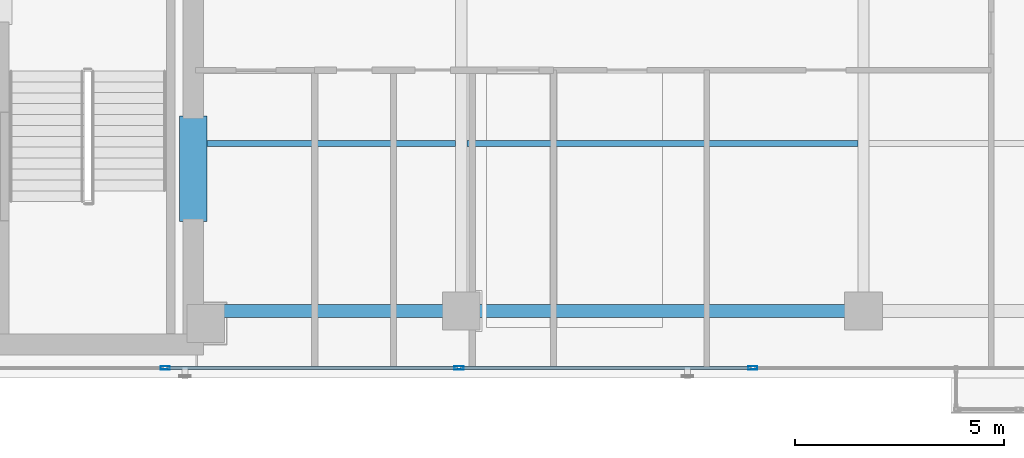
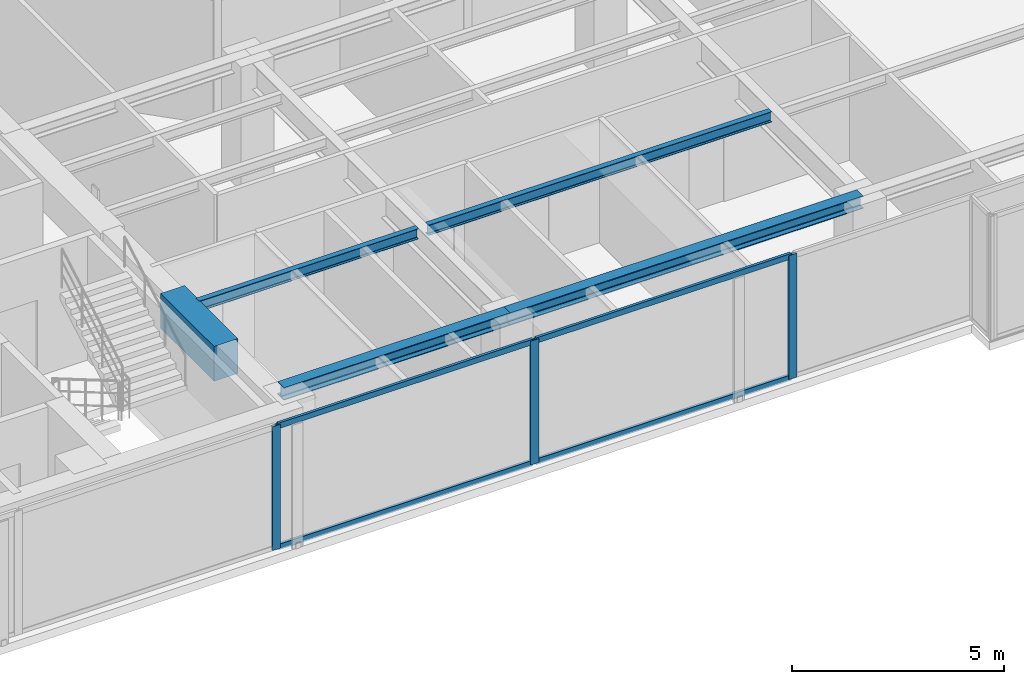
# One storey, part 4 of 22: 7 members, 5 beams, 1 element without a shape of its own.
"""IFC4 building model written with IfcOpenShell, lengths in metres."""

from ifc_helpers import new_model, si_unit, direction, frame, origin, origin_with_axes, origin_2d, place, context, subcontext, project, spatial, rectangle, hollow_rectangle, i_section, extrude, source, transform, mapped, material, layer, layer_set, material_profile, profile_set, type_object, element, aggregate, save


model = new_model("IFC4")

# Units and contexts
model_context = context("Model", 3, precision=1e-05, world=origin(), true_north=direction((0.0, 1.0)))
body_context = subcontext(model_context, "Body", "Model", "MODEL_VIEW")
ifc_project = project(units=[si_unit("LENGTHUNIT", "METRE"), si_unit("AREAUNIT", "SQUARE_METRE"), si_unit("VOLUMEUNIT", "CUBIC_METRE"), si_unit("PLANEANGLEUNIT", "RADIAN"), si_unit("MASSUNIT", "GRAM", prefix="KILO")], contexts=[model_context])

# Site, building, storey
site_placement = place(None, origin())
site = spatial("IfcSite", under=ifc_project, at=site_placement, CompositionType="ELEMENT")
building_placement = place(site_placement, origin())
building = spatial("IfcBuilding", under=site, at=building_placement, Name="Kolvaren Waterfront Exchange", CompositionType="ELEMENT")
storey_placement = place(building_placement, frame((0.0, 0.0, 274.199951171875)))
storey = spatial("IfcBuildingStorey", under=building, at=storey_placement, Name="L70", CompositionType="ELEMENT", Elevation=274.199951171875)

# Beams
ifc_material_1 = material(Name="Steel S355", Category="steel")
ifc_material_profile_1 = material_profile(ifc_material_1, i_section(OverallWidth=0.300048828125, OverallDepth=0.360107421875, WebThickness=0.012451171875, FlangeThickness=0.0224609375, FilletRadius=0.027099609375, at=origin_2d()), Name="HEB360")
ifc_profile_set_1 = profile_set([ifc_material_profile_1], Name="Steel S355")
beam_type_1 = type_object("IfcBeamType", Name="STR-BM-HEB360", PredefinedType="SPANDREL", material=ifc_profile_set_1)
beam_1_placement = place(storey_placement, frame((21.050048828125, 5.199951171875, 3.380126953125), z_axis=(1.0, 0.0, 0.0), x_axis=(0.0, 1.0, 0.0)))
element("IfcBeam", 1, at=beam_1_placement, inside=storey, type_object=beam_type_1, Name="L70 east-arm spandrel S1", PredefinedType="SPANDREL", context=body_context, shape_type="SweptSolid", body=[
    extrude(i_section(OverallWidth=0.300048828125, OverallDepth=0.360107421875, WebThickness=0.012451171875, FlangeThickness=0.0224609375, FilletRadius=0.027099609375, at=origin_2d()), origin(), (0.0, 0.0, 1.0), 6.14990234375),
])
beam_2_placement = place(storey_placement, frame((27.199951171875, 5.199951171875, 3.380126953125), z_axis=(1.0, 0.0, 0.0), x_axis=(0.0, 1.0, 0.0)))
element("IfcBeam", 2, at=beam_2_placement, inside=storey, type_object=beam_type_1, Name="L70 east-arm spandrel S2", PredefinedType="SPANDREL", context=body_context, shape_type="SweptSolid", body=[
    extrude(i_section(OverallWidth=0.300048828125, OverallDepth=0.360107421875, WebThickness=0.012451171875, FlangeThickness=0.0224609375, FilletRadius=0.027099609375, at=origin_2d()), origin(), (0.0, 0.0, 1.0), 9.60009765625),
])
ifc_material_profile_2 = material_profile(ifc_material_1, i_section(OverallWidth=0.14990234375, OverallDepth=0.300048828125, WebThickness=0.007080078125, FlangeThickness=0.0107421875, FilletRadius=0.014892578125, at=origin_2d()), Name="IPE300")
ifc_profile_set_2 = profile_set([ifc_material_profile_2], Name="Steel S355")
beam_type_2 = type_object("IfcBeamType", Name="STR-BM-IPE300", PredefinedType="JOIST", material=ifc_profile_set_2)
beam_3_placement = place(storey_placement, frame((21.10009765625, 9.199951171875, 3.41015625), z_axis=(1.0, 0.0, 0.0), x_axis=(0.0, 1.0, 0.0)))
element("IfcBeam", 3, at=beam_3_placement, inside=storey, type_object=beam_type_2, Name="L70 east-arm composite joist 1B", PredefinedType="JOIST", context=body_context, shape_type="SweptSolid", body=[
    extrude(i_section(OverallWidth=0.14990234375, OverallDepth=0.300048828125, WebThickness=0.007080078125, FlangeThickness=0.0107421875, FilletRadius=0.014892578125, at=origin_2d()), origin(), (0.0, 0.0, 1.0), 5.96435546875),
])
beam_4_placement = place(storey_placement, frame((27.33544921875, 9.199951171875, 3.41015625), z_axis=(1.0, 0.0, 0.0), x_axis=(0.0, 1.0, 0.0)))
element("IfcBeam", 4, at=beam_4_placement, inside=storey, type_object=beam_type_2, Name="L70 east-arm composite joist 2B", PredefinedType="JOIST", context=body_context, shape_type="SweptSolid", body=[
    extrude(i_section(OverallWidth=0.14990234375, OverallDepth=0.300048828125, WebThickness=0.007080078125, FlangeThickness=0.0107421875, FilletRadius=0.014892578125, at=origin_2d()), origin(), (0.0, 0.0, 1.0), 9.3291015625),
])
ifc_material_2 = material(Name="Concrete C60/75", Category="concrete")
ifc_material_profile_3 = material_profile(ifc_material_2, rectangle(XDim=0.64990234375, YDim=1.0, at=origin_2d()), Name="RC-CB-1000x650")
ifc_profile_set_3 = profile_set([ifc_material_profile_3], Name="Concrete C60/75")
beam_type_3 = type_object("IfcBeamType", Name="STR-CB-1000", PredefinedType="SPANDREL", material=ifc_profile_set_3)
beam_5_placement = place(storey_placement, frame((20.800048828125, 7.340087890625, 3.06005859375), z_axis=(0.0, 1.0, 0.0), x_axis=(-1.0, 0.0, 0.0)))
element("IfcBeam", 5, at=beam_5_placement, inside=storey, type_object=beam_type_3, Name="L70 core coupling beam 1", PredefinedType="SPANDREL", context=body_context, shape_type="SweptSolid", body=[
    extrude(rectangle(XDim=0.64990234375, YDim=1.0, at=origin_2d()), origin(), (0.0, 0.0, 1.0), 2.52001953125),
])

# Curtain wall, members
ifc_material_3 = material(Name="Anodised bronze aluminium 6063-T6", Category="aluminium")
ifc_layer = layer(ifc_material_3, 0.219970703125, Name="Anodised bronze aluminium 6063-T6")
ifc_layer_set = layer_set([ifc_layer], Name="Anodised bronze aluminium 6063-T6")
curtain_wall_type = type_object("IfcCurtainWallType", Name="ARC-CW-SYS1", PredefinedType="USERDEFINED", material=ifc_layer_set)
curtain_wall_placement = place(storey_placement, origin())
curtain_wall = element("IfcCurtainWall", 6, at=curtain_wall_placement, inside=storey, type_object=curtain_wall_type, Name="L70 stick curtain wall CW1 (CW-L70-S)", ObjectType="STICK CURTAIN WALL", PredefinedType="USERDEFINED")
ifc_material_4 = material(Name="Anodised aluminium 6063-T6", Category="aluminium")
ifc_material_profile_4 = material_profile(ifc_material_4, hollow_rectangle(XDim=0.080078125, YDim=0.219970703125, WallThickness=0.0048828125, at=origin_2d()), Name="ALU-MUL-220x80x5")
ifc_profile_set_4 = profile_set([ifc_material_profile_4], Name="Anodised aluminium 6063-T6")
member_type_1 = type_object("IfcMemberType", Name="ARC-CWM-220", PredefinedType="MULLION", material=ifc_profile_set_4)
shared_shape_1 = source(origin_with_axes(), body_context, "Body", "SweptSolid", [
    extrude(hollow_rectangle(XDim=0.080078125, YDim=0.219970703125, WallThickness=0.0048828125, at=origin_2d()), origin(), (0.0, 0.0, 1.0), 3.56005859375),
])
member_1_placement = place(storey_placement, frame((20.1298828125, 3.840087890625, 0.0), z_axis=(0.0, 0.0, 1.0), x_axis=(0.0, 1.0, 0.0)))
member_1 = element("IfcMember", 7, at=member_1_placement, type_object=member_type_1, Name="CW1 mullion 3", PredefinedType="MULLION", context=body_context, shape_type="MappedRepresentation", body=[
    mapped(shared_shape_1, transform((0.0, 0.0, 0.0), x_axis=(1.0, 0.0, 0.0), y_axis=(0.0, 1.0, 0.0), z_axis=(0.0, 0.0, 1.0), scale=1.0)),
])
member_2_placement = place(storey_placement, frame((27.144775390625, 3.840087890625, 0.0), z_axis=(0.0, 0.0, 1.0), x_axis=(0.0, 1.0, 0.0)))
member_2 = element("IfcMember", 8, at=member_2_placement, type_object=member_type_1, Name="CW1 mullion 4", PredefinedType="MULLION", context=body_context, shape_type="MappedRepresentation", body=[
    mapped(shared_shape_1, transform((0.0, 0.0, 0.0), x_axis=(1.0, 0.0, 0.0), y_axis=(0.0, 1.0, 0.0), z_axis=(0.0, 0.0, 1.0), scale=1.0)),
])
member_3_placement = place(storey_placement, frame((34.15966796875, 3.840087890625, 0.0), z_axis=(0.0, 0.0, 1.0), x_axis=(0.0, 1.0, 0.0)))
member_3 = element("IfcMember", 9, at=member_3_placement, type_object=member_type_1, Name="CW1 mullion 5", PredefinedType="MULLION", context=body_context, shape_type="MappedRepresentation", body=[
    mapped(shared_shape_1, transform((0.0, 0.0, 0.0), x_axis=(1.0, 0.0, 0.0), y_axis=(0.0, 1.0, 0.0), z_axis=(0.0, 0.0, 1.0), scale=1.0)),
])
ifc_material_profile_5 = material_profile(ifc_material_4, hollow_rectangle(XDim=0.074951171875, YDim=0.159912109375, WallThickness=0.00439453125, at=origin_2d()), Name="ALU-TRN-160x75x4.5")
ifc_profile_set_5 = profile_set([ifc_material_profile_5], Name="Anodised aluminium 6063-T6")
member_type_2 = type_object("IfcMemberType", Name="ARC-CWT-160", PredefinedType="USERDEFINED", material=ifc_profile_set_5)
shared_shape_2 = source(origin_with_axes(), body_context, "Body", "SweptSolid", [
    extrude(hollow_rectangle(XDim=0.074951171875, YDim=0.159912109375, WallThickness=0.00439453125, at=origin_2d()), origin(), (0.0, 0.0, 1.0), 6.934814453125),
])
member_4_placement = place(storey_placement, frame((20.169921875, 3.840087890625, 0.03759765625), z_axis=(1.0, 0.0, 0.0), x_axis=(0.0, 1.0, 0.0)))
member_4 = element("IfcMember", 10, at=member_4_placement, type_object=member_type_2, Name="CW1 transom 3.1", ObjectType="TRANSOM", PredefinedType="USERDEFINED", context=body_context, shape_type="MappedRepresentation", body=[
    mapped(shared_shape_2, transform((0.0, 0.0, 0.0), x_axis=(1.0, 0.0, 0.0), y_axis=(0.0, 1.0, 0.0), z_axis=(0.0, 0.0, 1.0), scale=1.0)),
])
member_5_placement = place(storey_placement, frame((20.169921875, 3.840087890625, 3.5224609375), z_axis=(1.0, 0.0, 0.0), x_axis=(0.0, 1.0, 0.0)))
member_5 = element("IfcMember", 11, at=member_5_placement, type_object=member_type_2, Name="CW1 transom 3.2", ObjectType="TRANSOM", PredefinedType="USERDEFINED", context=body_context, shape_type="MappedRepresentation", body=[
    mapped(shared_shape_2, transform((0.0, 0.0, 0.0), x_axis=(1.0, 0.0, 0.0), y_axis=(0.0, 1.0, 0.0), z_axis=(0.0, 0.0, 1.0), scale=1.0)),
])
member_6_placement = place(storey_placement, frame((27.184814453125, 3.840087890625, 0.03759765625), z_axis=(1.0, 0.0, 0.0), x_axis=(0.0, 1.0, 0.0)))
member_6 = element("IfcMember", 12, at=member_6_placement, type_object=member_type_2, Name="CW1 transom 4.1", ObjectType="TRANSOM", PredefinedType="USERDEFINED", context=body_context, shape_type="MappedRepresentation", body=[
    mapped(shared_shape_2, transform((0.0, 0.0, 0.0), x_axis=(1.0, 0.0, 0.0), y_axis=(0.0, 1.0, 0.0), z_axis=(0.0, 0.0, 1.0), scale=1.0)),
])
member_7_placement = place(storey_placement, frame((27.184814453125, 3.840087890625, 3.5224609375), z_axis=(1.0, 0.0, 0.0), x_axis=(0.0, 1.0, 0.0)))
member_7 = element("IfcMember", 13, at=member_7_placement, type_object=member_type_2, Name="CW1 transom 4.2", ObjectType="TRANSOM", PredefinedType="USERDEFINED", context=body_context, shape_type="MappedRepresentation", body=[
    mapped(shared_shape_2, transform((0.0, 0.0, 0.0), x_axis=(1.0, 0.0, 0.0), y_axis=(0.0, 1.0, 0.0), z_axis=(0.0, 0.0, 1.0), scale=1.0)),
])
aggregate(curtain_wall, [member_1, member_2, member_3, member_4, member_5, member_6, member_7])

save(model, "model.ifc")
